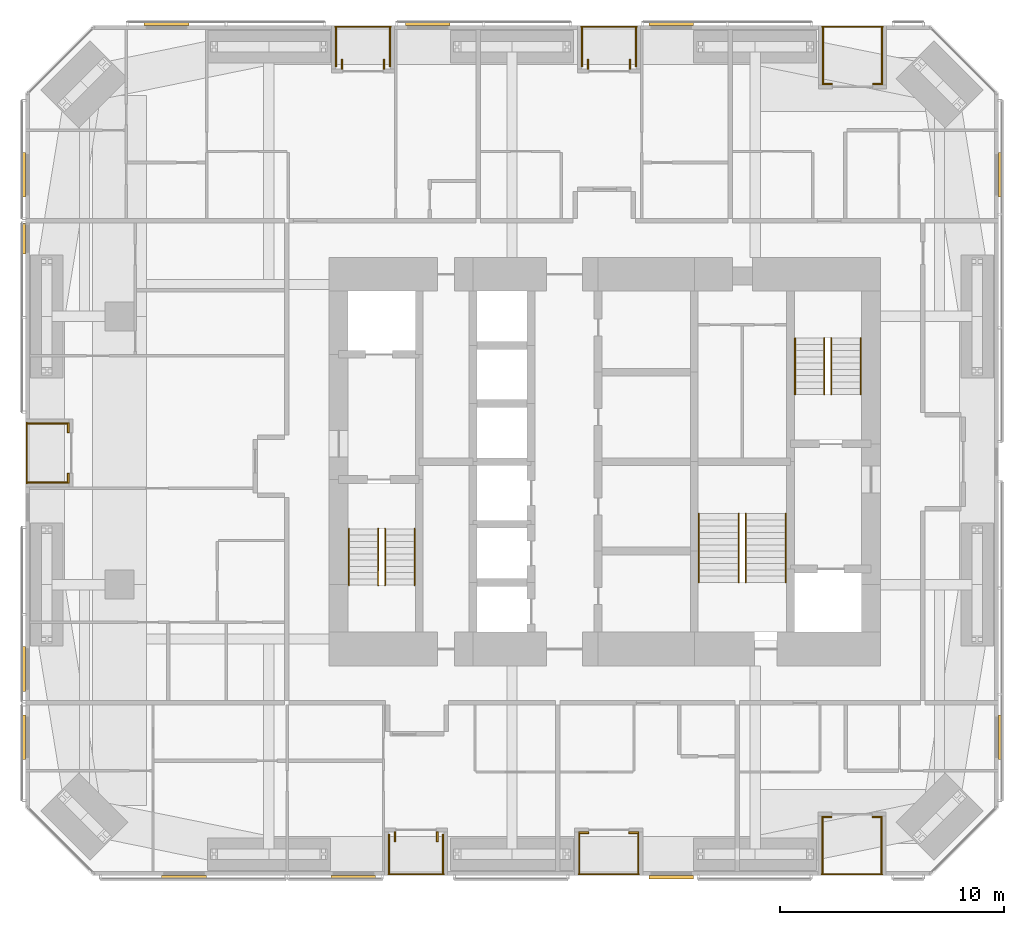
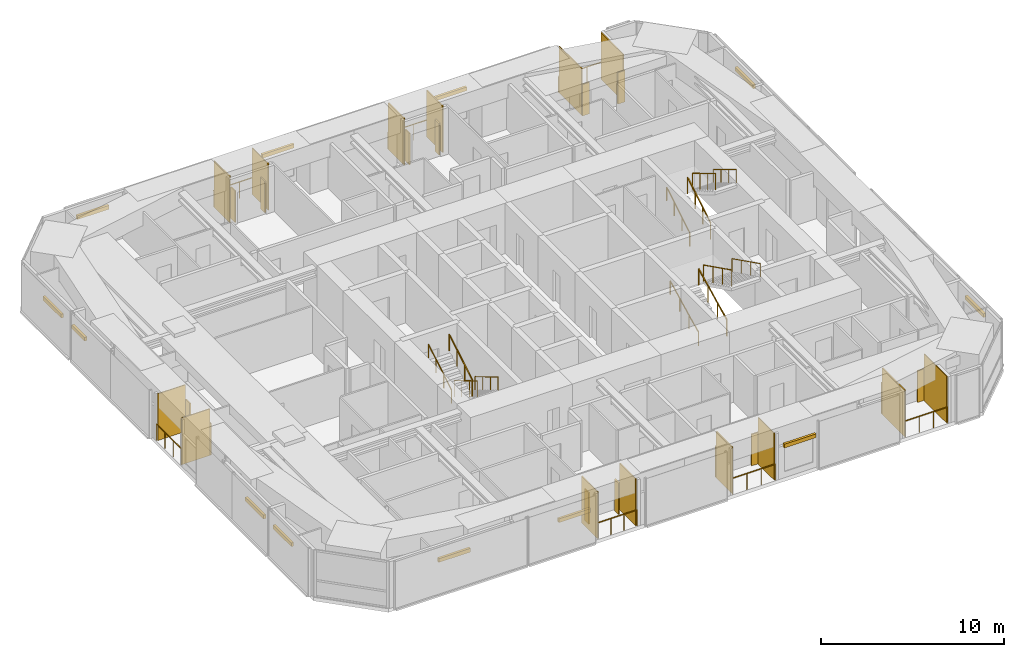
# One storey, part 24 of 24: 40 shading devices, 19 railings.
"""IFC4 building model written with IfcOpenShell, lengths in metres."""

from ifc_helpers import new_model, si_unit, direction, frame, origin, origin_2d, place, context, subcontext, project, spatial, rectangle, circle, extrude, material, layer, layer_set, constituent, constituent_set, type_object, element, save


model = new_model("IFC4")

# Units and contexts
model_context = context("Model", 3, precision=1e-05, world=origin(), true_north=direction((0.0, 1.0)))
body_context = subcontext(model_context, "Body", "Model", "MODEL_VIEW")
ifc_project = project(units=[si_unit("LENGTHUNIT", "METRE"), si_unit("AREAUNIT", "SQUARE_METRE"), si_unit("VOLUMEUNIT", "CUBIC_METRE"), si_unit("PLANEANGLEUNIT", "RADIAN"), si_unit("MASSUNIT", "GRAM", prefix="KILO")], contexts=[model_context])

# Site, building, storey
site_placement = place(None, origin())
site = spatial("IfcSite", under=ifc_project, at=site_placement, CompositionType="ELEMENT")
building_placement = place(site_placement, origin())
building = spatial("IfcBuilding", under=site, at=building_placement, Name="Jalousie Tower", CompositionType="ELEMENT")
storey_placement = place(building_placement, frame((0.0, 0.0, 91.449951171875)))
storey = spatial("IfcBuildingStorey", under=building, at=storey_placement, Name="L24", CompositionType="ELEMENT", Elevation=91.449951171875)

# Shading devices
ifc_material_1 = material(Name="Aluminium impact-rated louvred storm shutter", Category="aluminium")
shading_device_type_1 = type_object("IfcShadingDeviceType", Name="BI-FOLD STORM SHUTTER 900x2100", PredefinedType="SHUTTER", material=ifc_material_1)
for number, where, z_axis, x_axis, name in (
    (1, (22.5224609375, 1.72509765625, 0.0), (0.0, 0.0, 1.0), (0.0, 1.0, 0.0), "Loggia storm shutter L24"),
    (2, (24.402587890625, 1.72509765625, 0.0), (0.0, 0.0, 1.0), (0.0, 1.0, 0.0), "Loggia storm shutter L24"),
    (3, (30.949951171875, 1.909912109375, 0.0), (0.0, 0.0, 1.0), (1.0, 0.0, 0.0), "Loggia storm shutter L24"),
    (4, (33.199951171875, 1.909912109375, 0.0), (0.0, 0.0, 1.0), (1.0, 0.0, 0.0), "Loggia storm shutter L24"),
    (5, (41.824951171875, 2.610107421875, 0.0), (0.0, 0.0, 1.0), (1.0, 0.0, 0.0), "Loggia storm shutter L24"),
    (6, (44.074951171875, 2.610107421875, 0.0), (0.0, 0.0, 1.0), (1.0, 0.0, 0.0), "Loggia storm shutter L24"),
    (7, (44.0986328125, 35.389892578125, 0.0), (0.0, 0.0, 1.0), (-1.0, 0.0, 0.0), "Loggia storm shutter L24"),
    (8, (41.8486328125, 35.389892578125, 0.0), (0.0, 0.0, 1.0), (-1.0, 0.0, 0.0), "Loggia storm shutter L24"),
    (9, (33.027587890625, 36.27490234375, 0.0), (0.0, 0.0, 1.0), (0.0, -1.0, 0.0), "Loggia storm shutter L24"),
    (10, (31.1474609375, 36.27490234375, 0.0), (0.0, 0.0, 1.0), (0.0, -1.0, 0.0), "Loggia storm shutter L24"),
    (11, (22.027587890625, 36.27490234375, 0.0), (0.0, 0.0, 1.0), (0.0, -1.0, 0.0), "Loggia storm shutter L24"),
    (12, (20.1474609375, 36.27490234375, 0.0), (0.0, 0.0, 1.0), (0.0, -1.0, 0.0), "Loggia storm shutter L24"),
    (13, (7.909912109375, 20.012451171875, 0.0), (0.0, 0.0, 1.0), (0.0, -1.0, 0.0), "Loggia storm shutter L24"),
    (14, (7.909912109375, 17.762451171875, 0.0), (0.0, 0.0, 1.0), (0.0, -1.0, 0.0), "Loggia storm shutter L24"),
):
    element("IfcShadingDevice", number, at=place(storey_placement, frame(where, z_axis=z_axis, x_axis=x_axis)), inside=storey, type_object=shading_device_type_1, Name=name, PredefinedType="SHUTTER", context=body_context, shape_type="SweptSolid", body=[
        extrude(rectangle(XDim=0.449951171875, YDim=0.080078125, at=origin_2d()), origin(), (0.0, 0.0, 1.0), 2.10009765625),
    ])

# Railings
ifc_material_2 = material(Name="Powder-coated aluminium fretwork", Category="aluminium")
railing_type_1 = type_object("IfcRailingType", Name="FRETWORK BALUSTRADE 1100", PredefinedType="BALUSTRADE", material=ifc_material_2)
railing_1_placement = place(storey_placement, frame((22.22509765625, 0.050048828125, 0.0)))
element("IfcRailing", 15, at=railing_1_placement, inside=storey, type_object=railing_type_1, Name="Loggia fretwork balustrade L24", PredefinedType="BALUSTRADE", context=body_context, shape_type="SweptSolid", body=[
    extrude(rectangle(XDim=0.048095703125, YDim=0.048095703125, at=origin_2d()), frame((0.0, 0.0, 1.076171875), z_axis=(1.0, 0.0, 0.0), x_axis=(0.0, 1.0, 0.0)), (0.0, 0.0, 1.0), 2.474853515625),
    extrude(circle(Radius=0.02099609375, at=origin_2d()), origin(), (0.0, 0.0, 1.0), 1.052001953125),
    extrude(circle(Radius=0.02099609375, at=origin_2d()), frame((0.824951171875, 0.0, 0.0)), (0.0, 0.0, 1.0), 1.052001953125),
    extrude(circle(Radius=0.02099609375, at=origin_2d()), frame((1.64990234375, 0.0, 0.0)), (0.0, 0.0, 1.0), 1.052001953125),
    extrude(circle(Radius=0.02099609375, at=origin_2d()), frame((2.474853515625, 0.0, 0.0)), (0.0, 0.0, 1.0), 1.052001953125),
])
for number, where, name in (
    (16, (30.72509765625, 0.050048828125, 0.0), "Loggia fretwork balustrade L24"),
    (17, (41.60009765625, 0.050048828125, 0.0), "Loggia fretwork balustrade L24"),
):
    element("IfcRailing", number, at=place(storey_placement, frame(where)), inside=storey, type_object=railing_type_1, Name=name, PredefinedType="BALUSTRADE", context=body_context, shape_type="SweptSolid", body=[
        extrude(rectangle(XDim=0.048095703125, YDim=0.048095703125, at=origin_2d()), frame((0.0, 0.0, 1.076171875), z_axis=(1.0, 0.0, 0.0), x_axis=(0.0, 1.0, 0.0)), (0.0, 0.0, 1.0), 2.699951171875),
        extrude(circle(Radius=0.02099609375, at=origin_2d()), origin(), (0.0, 0.0, 1.0), 1.052001953125),
        extrude(circle(Radius=0.02099609375, at=origin_2d()), frame((0.89990234375, 0.0, 0.0)), (0.0, 0.0, 1.0), 1.052001953125),
        extrude(circle(Radius=0.02099609375, at=origin_2d()), frame((1.800048828125, 0.0, 0.0)), (0.0, 0.0, 1.0), 1.052001953125),
        extrude(circle(Radius=0.02099609375, at=origin_2d()), frame((2.699951171875, 0.0, 0.0)), (0.0, 0.0, 1.0), 1.052001953125),
    ])
railing_2_placement = place(storey_placement, frame((44.32373046875, 37.949951171875, 0.0)))
element("IfcRailing", 18, at=railing_2_placement, inside=storey, type_object=railing_type_1, Name="Loggia fretwork balustrade L24", PredefinedType="BALUSTRADE", context=body_context, shape_type="SweptSolid", body=[
    extrude(rectangle(XDim=0.048095703125, YDim=0.048095703125, at=origin_2d()), frame((0.0, 0.0, 1.076171875), z_axis=(-1.0, 0.0, 0.0), x_axis=(0.0, -1.0, 0.0)), (0.0, 0.0, 1.0), 2.699951171875),
    extrude(circle(Radius=0.02099609375, at=origin_2d()), origin(), (0.0, 0.0, 1.0), 1.052001953125),
    extrude(circle(Radius=0.02099609375, at=origin_2d()), frame((-0.89990234375, 0.0, 0.0)), (0.0, 0.0, 1.0), 1.052001953125),
    extrude(circle(Radius=0.02099609375, at=origin_2d()), frame((-1.800048828125, 0.0, 0.0)), (0.0, 0.0, 1.0), 1.052001953125),
    extrude(circle(Radius=0.02099609375, at=origin_2d()), frame((-2.699951171875, 0.0, 0.0)), (0.0, 0.0, 1.0), 1.052001953125),
])
for number, where, name in (
    (19, (33.324951171875, 37.949951171875, 0.0), "Loggia fretwork balustrade L24"),
    (20, (22.324951171875, 37.949951171875, 0.0), "Loggia fretwork balustrade L24"),
):
    element("IfcRailing", number, at=place(storey_placement, frame(where)), inside=storey, type_object=railing_type_1, Name=name, PredefinedType="BALUSTRADE", context=body_context, shape_type="SweptSolid", body=[
        extrude(rectangle(XDim=0.048095703125, YDim=0.048095703125, at=origin_2d()), frame((0.0, 0.0, 1.076171875), z_axis=(-1.0, 0.0, 0.0), x_axis=(0.0, -1.0, 0.0)), (0.0, 0.0, 1.0), 2.474853515625),
        extrude(circle(Radius=0.02099609375, at=origin_2d()), origin(), (0.0, 0.0, 1.0), 1.052001953125),
        extrude(circle(Radius=0.02099609375, at=origin_2d()), frame((-0.824951171875, 0.0, 0.0)), (0.0, 0.0, 1.0), 1.052001953125),
        extrude(circle(Radius=0.02099609375, at=origin_2d()), frame((-1.64990234375, 0.0, 0.0)), (0.0, 0.0, 1.0), 1.052001953125),
        extrude(circle(Radius=0.02099609375, at=origin_2d()), frame((-2.474853515625, 0.0, 0.0)), (0.0, 0.0, 1.0), 1.052001953125),
    ])
railing_3_placement = place(storey_placement, frame((6.050048828125, 20.24169921875, 0.0)))
element("IfcRailing", 21, at=railing_3_placement, inside=storey, type_object=railing_type_1, Name="Loggia fretwork balustrade L24", PredefinedType="BALUSTRADE", context=body_context, shape_type="SweptSolid", body=[
    extrude(rectangle(XDim=0.048095703125, YDim=0.048095703125, at=origin_2d()), frame((0.0, 0.0, 1.076171875), z_axis=(0.0, -1.0, 0.0), x_axis=(1.0, 0.0, 0.0)), (0.0, 0.0, 1.0), 2.70849609375),
    extrude(circle(Radius=0.02099609375, at=origin_2d()), origin(), (0.0, 0.0, 1.0), 1.052001953125),
    extrude(circle(Radius=0.02099609375, at=origin_2d()), frame((0.0, -0.90283203125, 0.0)), (0.0, 0.0, 1.0), 1.052001953125),
    extrude(circle(Radius=0.02099609375, at=origin_2d()), frame((0.0, -1.8056640625, 0.0)), (0.0, 0.0, 1.0), 1.052001953125),
    extrude(circle(Radius=0.02099609375, at=origin_2d()), frame((0.0, -2.70849609375, 0.0)), (0.0, 0.0, 1.0), 1.052001953125),
])

# Shading devices
ifc_material_3 = material(Name="Powder-coated aluminium louvres", Category="aluminium")
ifc_layer = layer(ifc_material_3, 0.06005859375)
ifc_layer_set = layer_set([ifc_layer], Name="Powder-coated aluminium louvres")
shading_device_type_2 = type_object("IfcShadingDeviceType", Name="JALOUSIE LOUVRE SCREEN", PredefinedType="JALOUSIE", material=ifc_layer_set)
for number, where, z_axis, x_axis, name in (
    (22, (22.2548828125, 0.97509765625, 0.0), (0.0, 0.0, 1.0), (1.0, 0.0, 0.0), "Loggia jalousie louvre screen L24"),
    (23, (24.669921875, 0.97509765625, 0.0), (0.0, 0.0, 1.0), (1.0, 0.0, 0.0), "Loggia jalousie louvre screen L24"),
    (24, (30.7548828125, 0.97509765625, 0.0), (0.0, 0.0, 1.0), (1.0, 0.0, 0.0), "Loggia jalousie louvre screen L24"),
    (25, (33.39501953125, 0.97509765625, 0.0), (0.0, 0.0, 1.0), (1.0, 0.0, 0.0), "Loggia jalousie louvre screen L24"),
):
    element("IfcShadingDevice", number, at=place(storey_placement, frame(where, z_axis=z_axis, x_axis=x_axis)), inside=storey, type_object=shading_device_type_2, Name=name, PredefinedType="JALOUSIE", context=body_context, shape_type="SweptSolid", body=[
        extrude(rectangle(XDim=0.06005859375, YDim=1.75, at=origin_2d()), origin(), (0.0, 0.0, 1.0), 3.110107421875),
    ])
for number, where, z_axis, x_axis, name in (
    (26, (41.6298828125, 1.324951171875, 0.0), (0.0, 0.0, 1.0), (1.0, 0.0, 0.0), "Loggia jalousie louvre screen L24"),
    (27, (44.27001953125, 1.324951171875, 0.0), (0.0, 0.0, 1.0), (1.0, 0.0, 0.0), "Loggia jalousie louvre screen L24"),
    (28, (44.293701171875, 36.675048828125, 0.0), (0.0, 0.0, 1.0), (-1.0, 0.0, 0.0), "Loggia jalousie louvre screen L24"),
    (29, (41.65380859375, 36.675048828125, 0.0), (0.0, 0.0, 1.0), (-1.0, 0.0, 0.0), "Loggia jalousie louvre screen L24"),
):
    element("IfcShadingDevice", number, at=place(storey_placement, frame(where, z_axis=z_axis, x_axis=x_axis)), inside=storey, type_object=shading_device_type_2, Name=name, PredefinedType="JALOUSIE", context=body_context, shape_type="SweptSolid", body=[
        extrude(rectangle(XDim=0.06005859375, YDim=2.449951171875, at=origin_2d()), origin(), (0.0, 0.0, 1.0), 3.110107421875),
    ])
for number, where, z_axis, x_axis, name in (
    (30, (33.294921875, 37.02490234375, 0.0), (0.0, 0.0, 1.0), (-1.0, 0.0, 0.0), "Loggia jalousie louvre screen L24"),
    (31, (30.8798828125, 37.02490234375, 0.0), (0.0, 0.0, 1.0), (-1.0, 0.0, 0.0), "Loggia jalousie louvre screen L24"),
    (32, (22.294921875, 37.02490234375, 0.0), (0.0, 0.0, 1.0), (-1.0, 0.0, 0.0), "Loggia jalousie louvre screen L24"),
    (33, (19.8798828125, 37.02490234375, 0.0), (0.0, 0.0, 1.0), (-1.0, 0.0, 0.0), "Loggia jalousie louvre screen L24"),
    (34, (6.97509765625, 20.211669921875, 0.0), (0.0, 0.0, 1.0), (0.0, -1.0, 0.0), "Loggia jalousie louvre screen L24"),
    (35, (6.97509765625, 17.563232421875, 0.0), (0.0, 0.0, 1.0), (0.0, -1.0, 0.0), "Loggia jalousie louvre screen L24"),
):
    element("IfcShadingDevice", number, at=place(storey_placement, frame(where, z_axis=z_axis, x_axis=x_axis)), inside=storey, type_object=shading_device_type_2, Name=name, PredefinedType="JALOUSIE", context=body_context, shape_type="SweptSolid", body=[
        extrude(rectangle(XDim=0.06005859375, YDim=1.75, at=origin_2d()), origin(), (0.0, 0.0, 1.0), 3.110107421875),
    ])

# Railings
ifc_material_4 = material(Name="Steel ASTM A500 Grade C", Category="steel")
ifc_constituent_1 = constituent(ifc_material_4, Name="Body")
ifc_material_5 = material(Name="Hot-dip galvanised zinc coating")
ifc_constituent_2 = constituent(ifc_material_5, Name="Finish")
ifc_constituent_set_1 = constituent_set(constituents=[ifc_constituent_1, ifc_constituent_2])
railing_type_2 = type_object("IfcRailingType", Name="STAIR GUARD 1100", PredefinedType="GUARDRAIL", material=ifc_constituent_set_1)
railing_4_placement = place(storey_placement, frame((22.080078125, 15.49755859375, 0.16748046875)))
element("IfcRailing", 36, at=railing_4_placement, inside=storey, type_object=railing_type_2, Name="Exit stair A guard L24 flight 1", PredefinedType="GUARDRAIL", context=body_context, shape_type="SweptSolid", body=[
    extrude(rectangle(XDim=0.048095703125, YDim=0.048095703125, at=origin_2d()), frame((0.0, 0.0, 1.076171875), z_axis=(0.0, -0.858159760407, 0.513382728203), x_axis=(1.0, 0.0, 0.0)), (0.0, 0.0, 1.0), 2.9365234375),
    extrude(circle(Radius=0.02099609375, at=origin_2d()), origin(), (0.0, 0.0, 1.0), 1.052001953125),
    extrude(circle(Radius=0.02099609375, at=origin_2d()), frame((0.0, -0.840087890625, 0.50244140625)), (0.0, 0.0, 1.0), 1.052001953125),
    extrude(circle(Radius=0.02099609375, at=origin_2d()), frame((0.0, -1.679931640625, 1.005126953125)), (0.0, 0.0, 1.0), 1.052001953125),
    extrude(circle(Radius=0.02099609375, at=origin_2d()), frame((0.0, -2.52001953125, 1.507568359375)), (0.0, 0.0, 1.0), 1.052001953125),
])
for number, where, name in (
    (37, (21.77001953125, 12.9775390625, 1.842529296875), "Exit stair A guard L24 flight 2"),
    (38, (41.719970703125, 21.50244140625, 0.16748046875), "Exit stair B guard L24 flight 1"),
):
    element("IfcRailing", number, at=place(storey_placement, frame(where)), inside=storey, type_object=railing_type_2, Name=name, PredefinedType="GUARDRAIL", context=body_context, shape_type="SweptSolid", body=[
        extrude(rectangle(XDim=0.048095703125, YDim=0.048095703125, at=origin_2d()), frame((0.0, 0.0, 1.076171875), z_axis=(0.0, 0.858159760407, 0.513382728203), x_axis=(-1.0, 0.0, 0.0)), (0.0, 0.0, 1.0), 2.9365234375),
        extrude(circle(Radius=0.02099609375, at=origin_2d()), origin(), (0.0, 0.0, 1.0), 1.052001953125),
        extrude(circle(Radius=0.02099609375, at=origin_2d()), frame((0.0, 0.840087890625, 0.50244140625)), (0.0, 0.0, 1.0), 1.052001953125),
        extrude(circle(Radius=0.02099609375, at=origin_2d()), frame((0.0, 1.679931640625, 1.005126953125)), (0.0, 0.0, 1.0), 1.052001953125),
        extrude(circle(Radius=0.02099609375, at=origin_2d()), frame((0.0, 2.52001953125, 1.507568359375)), (0.0, 0.0, 1.0), 1.052001953125),
    ])
railing_5_placement = place(storey_placement, frame((42.030029296875, 24.0224609375, 1.842529296875)))
element("IfcRailing", 39, at=railing_5_placement, inside=storey, type_object=railing_type_2, Name="Exit stair B guard L24 flight 2", PredefinedType="GUARDRAIL", context=body_context, shape_type="SweptSolid", body=[
    extrude(rectangle(XDim=0.048095703125, YDim=0.048095703125, at=origin_2d()), frame((0.0, 0.0, 1.076171875), z_axis=(0.0, -0.858159760407, 0.513382728203), x_axis=(1.0, 0.0, 0.0)), (0.0, 0.0, 1.0), 2.9365234375),
    extrude(circle(Radius=0.02099609375, at=origin_2d()), origin(), (0.0, 0.0, 1.0), 1.052001953125),
    extrude(circle(Radius=0.02099609375, at=origin_2d()), frame((0.0, -0.840087890625, 0.50244140625)), (0.0, 0.0, 1.0), 1.052001953125),
    extrude(circle(Radius=0.02099609375, at=origin_2d()), frame((0.0, -1.679931640625, 1.005126953125)), (0.0, 0.0, 1.0), 1.052001953125),
    extrude(circle(Radius=0.02099609375, at=origin_2d()), frame((0.0, -2.52001953125, 1.507568359375)), (0.0, 0.0, 1.0), 1.052001953125),
])
railing_6_placement = place(storey_placement, frame((37.89501953125, 13.097412109375, 0.1396484375)))
element("IfcRailing", 40, at=railing_6_placement, inside=storey, type_object=railing_type_2, Name="Exit stair C guard L24 flight 1", PredefinedType="GUARDRAIL", context=body_context, shape_type="SweptSolid", body=[
    extrude(rectangle(XDim=0.048095703125, YDim=0.048095703125, at=origin_2d()), frame((0.0, 0.0, 1.076171875), z_axis=(0.0, 0.894965676997, 0.446134998624), x_axis=(-1.0, 0.0, 0.0)), (0.0, 0.0, 1.0), 3.441650390625),
    extrude(circle(Radius=0.02099609375, at=origin_2d()), origin(), (0.0, 0.0, 1.0), 1.052001953125),
    extrude(circle(Radius=0.02099609375, at=origin_2d()), frame((0.0, 1.026611328125, 0.51171875)), (0.0, 0.0, 1.0), 1.052001953125),
    extrude(circle(Radius=0.02099609375, at=origin_2d()), frame((0.0, 2.053466796875, 1.023681640625)), (0.0, 0.0, 1.0), 1.052001953125),
    extrude(circle(Radius=0.02099609375, at=origin_2d()), frame((0.0, 3.080078125, 1.535400390625)), (0.0, 0.0, 1.0), 1.052001953125),
])
railing_7_placement = place(storey_placement, frame((38.205078125, 16.177490234375, 1.814697265625)))
element("IfcRailing", 41, at=railing_7_placement, inside=storey, type_object=railing_type_2, Name="Exit stair C guard L24 flight 2", PredefinedType="GUARDRAIL", context=body_context, shape_type="SweptSolid", body=[
    extrude(rectangle(XDim=0.048095703125, YDim=0.048095703125, at=origin_2d()), frame((0.0, 0.0, 1.076171875), z_axis=(0.0, -0.894965676997, 0.446134998624), x_axis=(1.0, 0.0, 0.0)), (0.0, 0.0, 1.0), 3.441650390625),
    extrude(circle(Radius=0.02099609375, at=origin_2d()), origin(), (0.0, 0.0, 1.0), 1.052001953125),
    extrude(circle(Radius=0.02099609375, at=origin_2d()), frame((0.0, -1.026611328125, 0.51171875)), (0.0, 0.0, 1.0), 1.052001953125),
    extrude(circle(Radius=0.02099609375, at=origin_2d()), frame((0.0, -2.053466796875, 1.023681640625)), (0.0, 0.0, 1.0), 1.052001953125),
    extrude(circle(Radius=0.02099609375, at=origin_2d()), frame((0.0, -3.080078125, 1.535400390625)), (0.0, 0.0, 1.0), 1.052001953125),
])
ifc_material_6 = material(Name="Steel ASTM A500 Grade C", Category="steel")
ifc_constituent_3 = constituent(ifc_material_6, Name="Body")
ifc_material_7 = material(Name="Hot-dip galvanised zinc coating")
ifc_constituent_4 = constituent(ifc_material_7, Name="Finish")
ifc_constituent_set_2 = constituent_set(constituents=[ifc_constituent_3, ifc_constituent_4])
railing_type_3 = type_object("IfcRailingType", Name="STAIR HANDRAIL 900", PredefinedType="HANDRAIL", material=ifc_constituent_set_2)
railing_8_placement = place(storey_placement, frame((23.39501953125, 15.49755859375, 0.16748046875)))
element("IfcRailing", 42, at=railing_8_placement, inside=storey, type_object=railing_type_3, Name="Exit stair A handrail L24 flight 1", PredefinedType="HANDRAIL", context=body_context, shape_type="SweptSolid", body=[
    extrude(circle(Radius=0.02392578125, at=origin_2d()), frame((0.0, 0.0, 0.8759765625), z_axis=(0.0, -0.858159760407, 0.513382728203), x_axis=(1.0, 0.0, 0.0)), (0.0, 0.0, 1.0), 2.9365234375),
    extrude(circle(Radius=0.02099609375, at=origin_2d()), origin(), (0.0, 0.0, 1.0), 0.851806640625),
    extrude(circle(Radius=0.02099609375, at=origin_2d()), frame((0.0, -0.840087890625, 0.50244140625)), (0.0, 0.0, 1.0), 0.851806640625),
    extrude(circle(Radius=0.02099609375, at=origin_2d()), frame((0.0, -1.679931640625, 1.005126953125)), (0.0, 0.0, 1.0), 0.851806640625),
    extrude(circle(Radius=0.02099609375, at=origin_2d()), frame((0.0, -2.52001953125, 1.507568359375)), (0.0, 0.0, 1.0), 0.851806640625),
])
for number, where, name in (
    (43, (20.455078125, 12.9775390625, 1.842529296875), "Exit stair A handrail L24 flight 2"),
    (44, (40.405029296875, 21.50244140625, 0.16748046875), "Exit stair B handrail L24 flight 1"),
):
    element("IfcRailing", number, at=place(storey_placement, frame(where)), inside=storey, type_object=railing_type_3, Name=name, PredefinedType="HANDRAIL", context=body_context, shape_type="SweptSolid", body=[
        extrude(circle(Radius=0.02392578125, at=origin_2d()), frame((0.0, 0.0, 0.8759765625), z_axis=(0.0, 0.858159760407, 0.513382728203), x_axis=(-1.0, 0.0, 0.0)), (0.0, 0.0, 1.0), 2.9365234375),
        extrude(circle(Radius=0.02099609375, at=origin_2d()), origin(), (0.0, 0.0, 1.0), 0.851806640625),
        extrude(circle(Radius=0.02099609375, at=origin_2d()), frame((0.0, 0.840087890625, 0.50244140625)), (0.0, 0.0, 1.0), 0.851806640625),
        extrude(circle(Radius=0.02099609375, at=origin_2d()), frame((0.0, 1.679931640625, 1.005126953125)), (0.0, 0.0, 1.0), 0.851806640625),
        extrude(circle(Radius=0.02099609375, at=origin_2d()), frame((0.0, 2.52001953125, 1.507568359375)), (0.0, 0.0, 1.0), 0.851806640625),
    ])
railing_9_placement = place(storey_placement, frame((43.344970703125, 24.0224609375, 1.842529296875)))
element("IfcRailing", 45, at=railing_9_placement, inside=storey, type_object=railing_type_3, Name="Exit stair B handrail L24 flight 2", PredefinedType="HANDRAIL", context=body_context, shape_type="SweptSolid", body=[
    extrude(circle(Radius=0.02392578125, at=origin_2d()), frame((0.0, 0.0, 0.8759765625), z_axis=(0.0, -0.858159760407, 0.513382728203), x_axis=(1.0, 0.0, 0.0)), (0.0, 0.0, 1.0), 2.9365234375),
    extrude(circle(Radius=0.02099609375, at=origin_2d()), origin(), (0.0, 0.0, 1.0), 0.851806640625),
    extrude(circle(Radius=0.02099609375, at=origin_2d()), frame((0.0, -0.840087890625, 0.50244140625)), (0.0, 0.0, 1.0), 0.851806640625),
    extrude(circle(Radius=0.02099609375, at=origin_2d()), frame((0.0, -1.679931640625, 1.005126953125)), (0.0, 0.0, 1.0), 0.851806640625),
    extrude(circle(Radius=0.02099609375, at=origin_2d()), frame((0.0, -2.52001953125, 1.507568359375)), (0.0, 0.0, 1.0), 0.851806640625),
])
railing_10_placement = place(storey_placement, frame((36.10498046875, 13.097412109375, 0.1396484375)))
element("IfcRailing", 46, at=railing_10_placement, inside=storey, type_object=railing_type_3, Name="Exit stair C handrail L24 flight 1", PredefinedType="HANDRAIL", context=body_context, shape_type="SweptSolid", body=[
    extrude(circle(Radius=0.02392578125, at=origin_2d()), frame((0.0, 0.0, 0.8759765625), z_axis=(0.0, 0.894965676997, 0.446134998624), x_axis=(-1.0, 0.0, 0.0)), (0.0, 0.0, 1.0), 3.441650390625),
    extrude(circle(Radius=0.02099609375, at=origin_2d()), origin(), (0.0, 0.0, 1.0), 0.851806640625),
    extrude(circle(Radius=0.02099609375, at=origin_2d()), frame((0.0, 1.026611328125, 0.51171875)), (0.0, 0.0, 1.0), 0.851806640625),
    extrude(circle(Radius=0.02099609375, at=origin_2d()), frame((0.0, 2.053466796875, 1.023681640625)), (0.0, 0.0, 1.0), 0.851806640625),
    extrude(circle(Radius=0.02099609375, at=origin_2d()), frame((0.0, 3.080078125, 1.535400390625)), (0.0, 0.0, 1.0), 0.851806640625),
])
railing_11_placement = place(storey_placement, frame((39.9951171875, 16.177490234375, 1.814697265625)))
element("IfcRailing", 47, at=railing_11_placement, inside=storey, type_object=railing_type_3, Name="Exit stair C handrail L24 flight 2", PredefinedType="HANDRAIL", context=body_context, shape_type="SweptSolid", body=[
    extrude(circle(Radius=0.02392578125, at=origin_2d()), frame((0.0, 0.0, 0.8759765625), z_axis=(0.0, -0.894965676997, 0.446134998624), x_axis=(1.0, 0.0, 0.0)), (0.0, 0.0, 1.0), 3.441650390625),
    extrude(circle(Radius=0.02099609375, at=origin_2d()), origin(), (0.0, 0.0, 1.0), 0.851806640625),
    extrude(circle(Radius=0.02099609375, at=origin_2d()), frame((0.0, -1.026611328125, 0.51171875)), (0.0, 0.0, 1.0), 0.851806640625),
    extrude(circle(Radius=0.02099609375, at=origin_2d()), frame((0.0, -2.053466796875, 1.023681640625)), (0.0, 0.0, 1.0), 0.851806640625),
    extrude(circle(Radius=0.02099609375, at=origin_2d()), frame((0.0, -3.080078125, 1.535400390625)), (0.0, 0.0, 1.0), 0.851806640625),
])

# Shading devices
ifc_material_8 = material(Name="Aluminium roller storm shutter", Category="aluminium")
shading_device_type_3 = type_object("IfcShadingDeviceType", Name="STORM SHUTTER HOUSING", PredefinedType="SHUTTER", material=ifc_material_8)
for number, where, z_axis, x_axis, name in (
    (48, (13.0849609375, -0.074951171875, 2.10009765625), (0.0, 0.0, 1.0), (1.0, 0.0, 0.0), "Storm shutter L24"),
    (49, (20.657470703125, -0.074951171875, 2.10009765625), (0.0, 0.0, 1.0), (1.0, 0.0, 0.0), "Storm shutter L24"),
    (50, (34.875, -0.074951171875, 2.10009765625), (0.0, 0.0, 1.0), (1.0, 0.0, 0.0), "Storm shutter L24"),
    (51, (49.574951171875, 6.175537109375, 2.10009765625), (0.0, 0.0, 1.0), (0.0, 1.0, 0.0), "Storm shutter L24"),
    (52, (49.574951171875, 31.324462890625, 2.10009765625), (0.0, 0.0, 1.0), (0.0, 1.0, 0.0), "Storm shutter L24"),
    (53, (34.875, 38.074951171875, 2.10009765625), (0.0, 0.0, 1.0), (-1.0, 0.0, 0.0), "Storm shutter L24"),
    (54, (23.981201171875, 38.074951171875, 2.10009765625), (0.0, 0.0, 1.0), (-1.0, 0.0, 0.0), "Storm shutter L24"),
    (55, (12.300048828125, 38.074951171875, 2.10009765625), (0.0, 0.0, 1.0), (-1.0, 0.0, 0.0), "Storm shutter L24"),
    (56, (5.925048828125, 31.324462890625, 2.10009765625), (0.0, 0.0, 1.0), (0.0, -1.0, 0.0), "Storm shutter L24"),
):
    element("IfcShadingDevice", number, at=place(storey_placement, frame(where, z_axis=z_axis, x_axis=x_axis)), inside=storey, type_object=shading_device_type_3, Name=name, PredefinedType="SHUTTER", context=body_context, shape_type="SweptSolid", body=[
        extrude(rectangle(XDim=2.0, YDim=0.14990234375, at=origin_2d()), origin(), (0.0, 0.0, 1.0), 0.25),
    ])
shading_device_placement = place(storey_placement, frame((5.925048828125, 28.47509765625, 2.10009765625), z_axis=(0.0, 0.0, 1.0), x_axis=(0.0, -1.0, 0.0)))
element("IfcShadingDevice", 57, at=shading_device_placement, inside=storey, type_object=shading_device_type_3, Name="Storm shutter L24", PredefinedType="SHUTTER", context=body_context, shape_type="SweptSolid", body=[
    extrude(rectangle(XDim=1.39990234375, YDim=0.14990234375, at=origin_2d()), origin(), (0.0, 0.0, 1.0), 0.25),
])
for number, where, z_axis, x_axis, name in (
    (58, (5.925048828125, 9.22509765625, 2.10009765625), (0.0, 0.0, 1.0), (0.0, -1.0, 0.0), "Storm shutter L24"),
    (59, (5.925048828125, 6.17529296875, 2.10009765625), (0.0, 0.0, 1.0), (0.0, -1.0, 0.0), "Storm shutter L24"),
):
    element("IfcShadingDevice", number, at=place(storey_placement, frame(where, z_axis=z_axis, x_axis=x_axis)), inside=storey, type_object=shading_device_type_3, Name=name, PredefinedType="SHUTTER", context=body_context, shape_type="SweptSolid", body=[
        extrude(rectangle(XDim=2.0, YDim=0.14990234375, at=origin_2d()), origin(), (0.0, 0.0, 1.0), 0.25),
    ])

save(model, "model.ifc")
